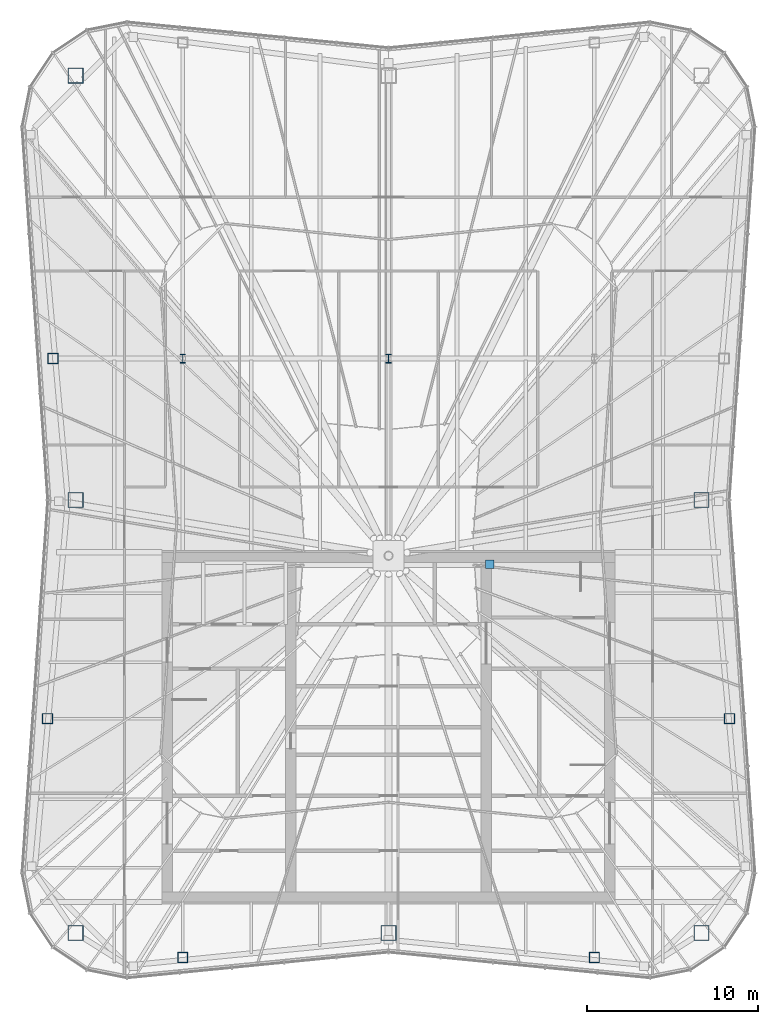
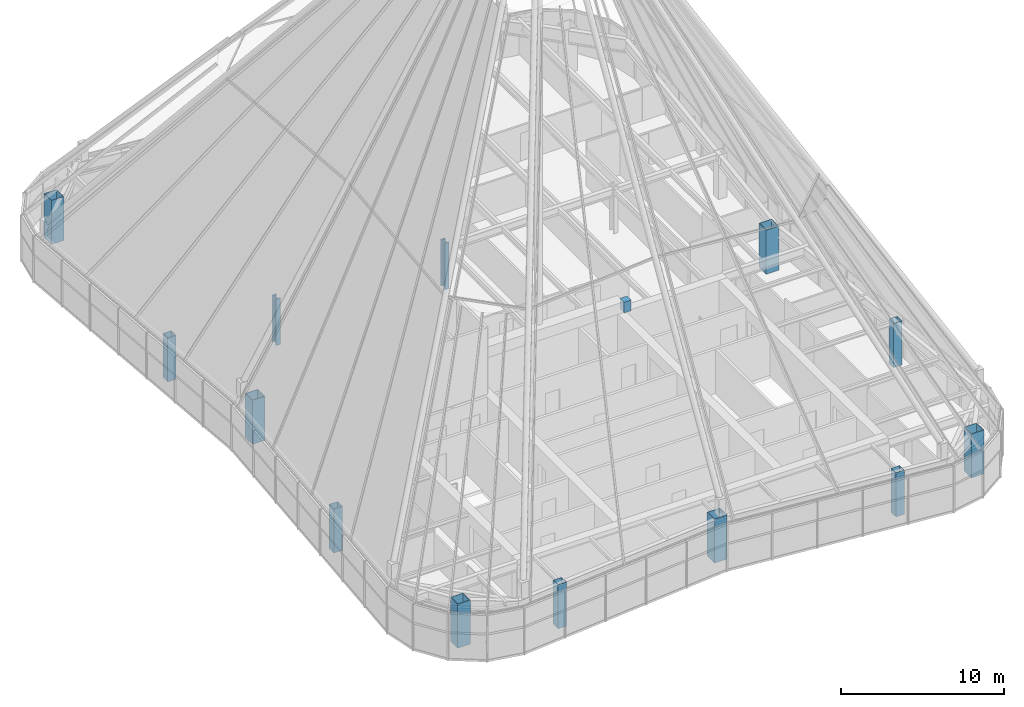
# One storey, part 1 of 28: 14 columns.
"""IFC4 building model written with IfcOpenShell, lengths in metres."""

from ifc_helpers import new_model, si_unit, direction, frame, origin, origin_2d, place, context, subcontext, project, spatial, rectangle, hollow_rectangle, i_section, extrude, material, layer, layer_set, material_profile, profile_set, type_object, element, save


model = new_model("IFC4")

# Units and contexts
model_context = context("Model", 3, precision=1e-05, world=origin(), true_north=direction((0.0, 1.0)))
body_context = subcontext(model_context, "Body", "Model", "MODEL_VIEW")
ifc_project = project(units=[si_unit("LENGTHUNIT", "METRE"), si_unit("AREAUNIT", "SQUARE_METRE"), si_unit("VOLUMEUNIT", "CUBIC_METRE"), si_unit("PLANEANGLEUNIT", "RADIAN"), si_unit("MASSUNIT", "GRAM", prefix="KILO")], contexts=[model_context])

# Site, building, storey
site_placement = place(None, origin())
site = spatial("IfcSite", under=ifc_project, at=site_placement, CompositionType="ELEMENT")
building_placement = place(site_placement, origin())
building = spatial("IfcBuilding", under=site, at=building_placement, Name="Verdant Reach Tower", CompositionType="ELEMENT")
storey_placement = place(building_placement, frame((0.0, 0.0, 368.0)))
storey = spatial("IfcBuildingStorey", under=building, at=storey_placement, Name="L83 Crown plant", CompositionType="ELEMENT", Elevation=368.0)

# Columns
ifc_material = material(Name="Steel S460", Category="steel")
ifc_material_profile_1 = material_profile(ifc_material, i_section(OverallWidth=0.305908203125, OverallDepth=0.52392578125, WebThickness=0.012451171875, FlangeThickness=0.0400390625, FilletRadius=0.027099609375, at=origin_2d()), Name="HEM 500")
ifc_profile_set_1 = profile_set([ifc_material_profile_1], Name="Steel S460")
column_type_1 = type_object("IfcColumnType", Name="ST-COL-HEM500", PredefinedType="COLUMN", material=ifc_profile_set_1)
for number, where, z_axis, x_axis, name in (
    (1, (-12.0, 49.5, 0.0), (0.0, 0.0, 1.0), (1.0, 0.0, 0.0), "Interior column 1, L83 Crown plant"),
    (2, (0.0, 49.5, 0.0), (0.0, 0.0, 1.0), (1.0, 0.0, 0.0), "Interior column 2, L83 Crown plant"),
):
    element("IfcColumn", number, at=place(storey_placement, frame(where, z_axis=z_axis, x_axis=x_axis)), inside=storey, type_object=column_type_1, Name=name, PredefinedType="COLUMN", context=body_context, shape_type="SweptSolid", body=[
        extrude(i_section(OverallWidth=0.305908203125, OverallDepth=0.52392578125, WebThickness=0.012451171875, FlangeThickness=0.0400390625, FilletRadius=0.027099609375, at=origin_2d()), origin(), (0.0, 0.0, 1.0), 3.5),
    ])
ifc_material_profile_2 = material_profile(ifc_material, hollow_rectangle(XDim=0.60009765625, YDim=0.60009765625, WallThickness=0.02490234375, at=origin_2d()), Name="WB 600x600x25")
ifc_profile_set_2 = profile_set([ifc_material_profile_2], Name="Steel S460")
column_type_2 = type_object("IfcColumnType", Name="ST-COL-WB600x600x25", PredefinedType="COLUMN", material=ifc_profile_set_2)
for number, where, z_axis, x_axis, name in (
    (3, (-12.0, 14.569580078125, 0.0), (0.0, 0.0, 1.0), (1.0, 0.0, 0.0), "Perimeter column south 1, L83 Crown plant"),
    (4, (12.0, 14.569580078125, 0.0), (0.0, 0.0, 1.0), (1.0, 0.0, 0.0), "Perimeter column south 2, L83 Crown plant"),
    (5, (19.87939453125, 28.5, 0.0), (0.0, 0.0, 1.0), (1.0, 0.0, 0.0), "Perimeter column east 1, L83 Crown plant"),
    (6, (-19.87939453125, 28.5, 0.0), (0.0, 0.0, 1.0), (1.0, 0.0, 0.0), "Perimeter column west 1, L83 Crown plant"),
    (7, (-19.569091796875, 49.5, 0.0), (0.0, 0.0, 1.0), (1.0, 0.0, 0.0), "Perimeter column west 2, L83 Crown plant"),
):
    element("IfcColumn", number, at=place(storey_placement, frame(where, z_axis=z_axis, x_axis=x_axis)), inside=storey, type_object=column_type_2, Name=name, PredefinedType="COLUMN", context=body_context, shape_type="SweptSolid", body=[
        extrude(hollow_rectangle(XDim=0.60009765625, YDim=0.60009765625, WallThickness=0.02490234375, at=origin_2d()), origin(), (0.0, 0.0, 1.0), 3.300048828125),
    ])
ifc_material_profile_3 = material_profile(ifc_material, hollow_rectangle(XDim=0.89990234375, YDim=0.89990234375, WallThickness=0.0400390625, at=origin_2d()), Name="WB 900x900x40")
ifc_profile_set_3 = profile_set([ifc_material_profile_3], Name="Steel S460")
column_type_3 = type_object("IfcColumnType", Name="ST-COL-WB900x900x40", PredefinedType="COLUMN", material=ifc_profile_set_3)
for number, where, z_axis, x_axis, name in (
    (8, (-18.25, 66.0, 0.0), (0.0, 0.0, 1.0), (1.0, 0.0, 0.0), "Mega column north-west, L83 Crown plant"),
    (9, (18.25, 41.25, 0.0), (0.0, 0.0, 1.0), (1.0, 0.0, 0.0), "Mega column east, L83 Crown plant"),
    (10, (18.25, 16.0, 0.0), (0.0, 0.0, 1.0), (1.0, 0.0, 0.0), "Mega column south-east, L83 Crown plant"),
    (11, (0.0, 16.0, 0.0), (0.0, 0.0, 1.0), (1.0, 0.0, 0.0), "Mega column south, L83 Crown plant"),
    (12, (-18.25, 16.0, 0.0), (0.0, 0.0, 1.0), (1.0, 0.0, 0.0), "Mega column south-west, L83 Crown plant"),
    (13, (-18.25, 41.25, 0.0), (0.0, 0.0, 1.0), (1.0, 0.0, 0.0), "Mega column west, L83 Crown plant"),
):
    element("IfcColumn", number, at=place(storey_placement, frame(where, z_axis=z_axis, x_axis=x_axis)), inside=storey, type_object=column_type_3, Name=name, PredefinedType="COLUMN", context=body_context, shape_type="SweptSolid", body=[
        extrude(hollow_rectangle(XDim=0.89990234375, YDim=0.89990234375, WallThickness=0.0400390625, at=origin_2d()), origin(), (0.0, 0.0, 1.0), 3.300048828125),
    ])
ifc_layer = layer(ifc_material, 0.5)
ifc_layer_set = layer_set([ifc_layer], Name="ST-PEDESTAL")
column_type_4 = type_object("IfcColumnType", Name="ST-PEDESTAL", PredefinedType="COLUMN", material=ifc_layer_set)
column_placement = place(storey_placement, frame((5.89990234375, 37.5, 3.5), z_axis=(0.0, 0.0, 1.0), x_axis=(1.0, 0.0, 0.0)))
element("IfcColumn", 14, at=column_placement, inside=storey, type_object=column_type_4, Name="Spire grillage pedestal", PredefinedType="COLUMN", context=body_context, shape_type="SweptSolid", body=[
    extrude(rectangle(XDim=0.5, YDim=0.5, at=origin_2d()), origin(), (0.0, 0.0, 1.0), 0.800048828125),
])

save(model, "model.ifc")
